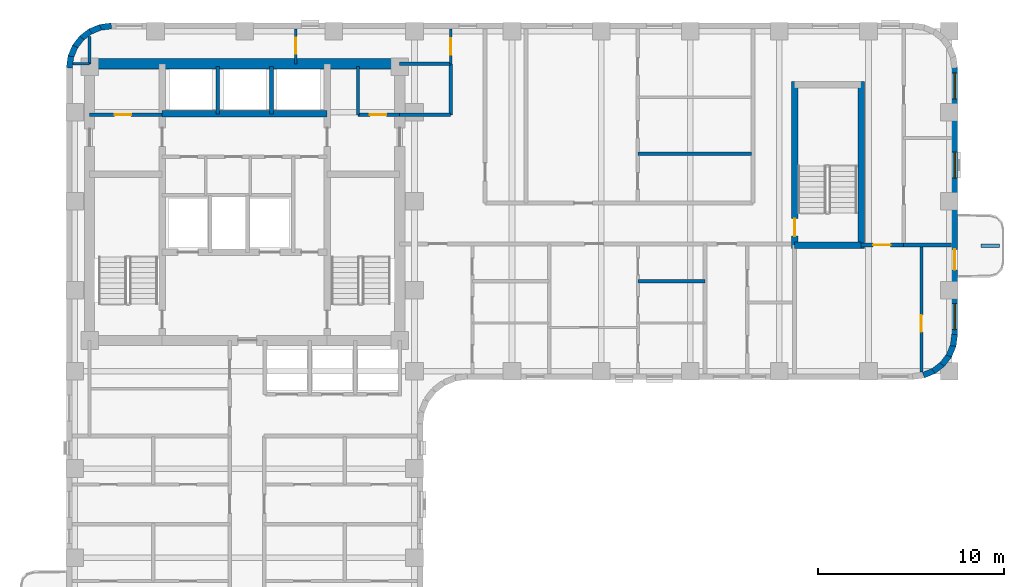
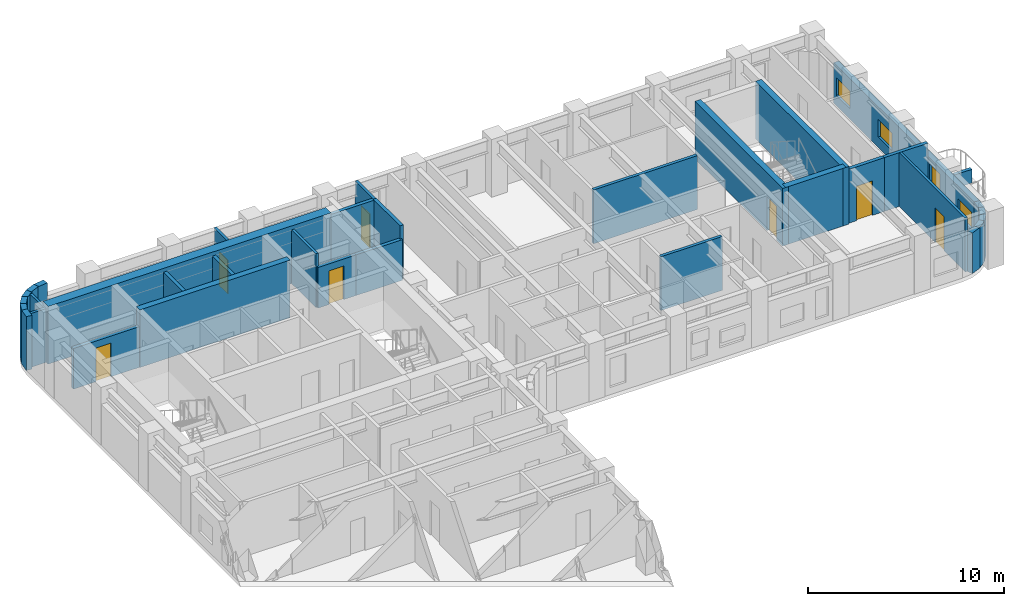
# One storey, part 6 of 10: 35 walls, 8 doors, 3 windows, 11 openings.
"""IFC4 building model written with IfcOpenShell, lengths in metres."""

from ifc_helpers import new_model, si_unit, direction, frame, frame_2d, origin, place, context, subcontext, project, spatial, rectangle, extrude, material, layer, layer_set, type_object, element, fill, save


model = new_model("IFC4")

# Units and contexts
model_context = context("Model", 3, precision=1e-05, world=origin(), true_north=direction((0.0, 1.0)))
body_context = subcontext(model_context, "Body", "Model", "MODEL_VIEW")
ifc_project = project(units=[si_unit("LENGTHUNIT", "METRE"), si_unit("AREAUNIT", "SQUARE_METRE"), si_unit("VOLUMEUNIT", "CUBIC_METRE"), si_unit("PLANEANGLEUNIT", "RADIAN"), si_unit("MASSUNIT", "GRAM", prefix="KILO")], contexts=[model_context])

# Site, building, storey
site_placement = place(None, origin())
site = spatial("IfcSite", under=ifc_project, at=site_placement, CompositionType="ELEMENT")
building_placement = place(site_placement, origin())
building = spatial("IfcBuilding", under=site, at=building_placement, Name="Orvandelia Arch Residences", CompositionType="ELEMENT")
storey_placement = place(building_placement, frame((0.0, 0.0, 114.39990234375)))
storey = spatial("IfcBuildingStorey", under=building, at=storey_placement, Name="L29", CompositionType="ELEMENT", Elevation=114.39990234375)

# Wall
ifc_material_1 = material(Name="Concrete C50/60", Category="concrete")
ifc_layer_1 = layer(ifc_material_1, 0.35009765625, Name="Concrete C50/60", Category="concrete")
ifc_layer_set_1 = layer_set([ifc_layer_1], Name="Concrete C50/60")
wall_type_1 = type_object("IfcWallType", Name="WL-CORE-350", PredefinedType="SHEAR", material=ifc_layer_set_1)
wall_1_placement = place(storey_placement, frame((9.9599609375, 43.10009765625, 0.0), z_axis=(0.0, 0.0, 1.0), x_axis=(1.0, 0.0, 0.0)))
element("IfcWall", 1, at=wall_1_placement, inside=storey, type_object=wall_type_1, Name="Core Shear Wall L29-HZ4", PredefinedType="SHEAR", context=body_context, shape_type="SweptSolid", body=[
    extrude(rectangle(XDim=8.880126953125, YDim=0.35009765625, at=frame_2d((4.43994140625, 0.0))), origin(), (0.0, 0.0, 1.0), 3.60009765625),
])

# Wall, opening, door
wall_2_placement = place(storey_placement, frame((44.02001953125, 35.864990234375, 0.0), z_axis=(0.0, 0.0, 1.0), x_axis=(0.0, 1.0, 0.0)))
wall_2 = element("IfcWall", 2, at=wall_2_placement, inside=storey, type_object=wall_type_1, Name="East Stair Core Shear Wall L29-W", PredefinedType="SHEAR", context=body_context, shape_type="SweptSolid", body=[
    extrude(rectangle(XDim=8.969970703125, YDim=0.35009765625, at=frame_2d((4.48486328125, 0.0))), origin(), (0.0, 0.0, 1.0), 3.60009765625),
])
opening_1_placement = place(wall_2_placement, frame((0.64990234375, 0.0, 0.0)))
opening_1 = element("IfcOpeningElement", 3, at=opening_1_placement, cuts=wall_2, Name="Opening D7", PredefinedType="OPENING", context=body_context, shape_type="SweptSolid", body=[
    extrude(rectangle(XDim=0.949951171875, YDim=2.10009765625, at=frame_2d((0.47509765625, 1.050048828125))), frame((0.0, 0.18505859375, 0.0), z_axis=(0.0, -1.0, 0.0), x_axis=(1.0, 0.0, 0.0)), (0.0, 0.0, 1.0), 0.3701171875),
])
ifc_material_2 = material(Name="Pressurised Stairwell Fire Door")
door_type_1 = type_object("IfcDoorType", Name="DR-STAIR-950", OperationType="NOTDEFINED", PredefinedType="DOOR", material=ifc_material_2)
door_1_placement = place(opening_1_placement, origin())
door_1 = element("IfcDoor", 4, at=door_1_placement, inside=storey, type_object=door_type_1, Name="East Stairwell ST-3 Fire Door L29", OperationType="SINGLE_SWING_LEFT", OverallHeight=2.10009765625, OverallWidth=0.949951171875, PredefinedType="DOOR", context=body_context, shape_type="SweptSolid", body=[
    extrude(rectangle(XDim=0.949951171875, YDim=2.10009765625, at=frame_2d((0.47509765625, 1.050048828125))), frame((0.0, 0.02490234375, 0.0), z_axis=(0.0, -1.0, 0.0), x_axis=(1.0, 0.0, 0.0)), (0.0, 0.0, 1.0), 0.050048828125),
])
fill(opening_1, door_1)

# Walls
wall_3_placement = place(storey_placement, frame((47.60009765625, 35.864990234375, 0.0), z_axis=(0.0, 0.0, 1.0), x_axis=(0.0, 1.0, 0.0)))
element("IfcWall", 5, at=wall_3_placement, inside=storey, type_object=wall_type_1, Name="East Stair Core Shear Wall L29-E", PredefinedType="SHEAR", context=body_context, shape_type="SweptSolid", body=[
    extrude(rectangle(XDim=8.969970703125, YDim=0.35009765625, at=frame_2d((4.48486328125, 0.0))), origin(), (0.0, 0.0, 1.0), 3.60009765625),
])
wall_4_placement = place(storey_placement, frame((44.02001953125, 36.0400390625, 0.0), z_axis=(0.0, 0.0, 1.0), x_axis=(1.0, 0.0, 0.0)))
element("IfcWall", 6, at=wall_4_placement, inside=storey, type_object=wall_type_1, Name="East Stair Core Shear Wall L29-S", PredefinedType="SHEAR", context=body_context, shape_type="SweptSolid", body=[
    extrude(rectangle(XDim=3.580078125, YDim=0.35009765625, at=frame_2d((1.7900390625, 0.0))), origin(), (0.0, 0.0, 1.0), 3.60009765625),
])
ifc_material_3 = material(Name="Concrete C60/75", Category="concrete")
ifc_layer_2 = layer(ifc_material_3, 0.550048828125, Name="Concrete C60/75", Category="concrete")
ifc_layer_set_2 = layer_set([ifc_layer_2], Name="Concrete C60/75")
wall_type_2 = type_object("IfcWallType", Name="WL-CORE-550", PredefinedType="SHEAR", material=ifc_layer_set_2)
wall_5_placement = place(storey_placement, frame((6.050048828125, 45.800048828125, 0.0), z_axis=(0.0, 0.0, 1.0), x_axis=(1.0, 0.0, 0.0)))
element("IfcWall", 7, at=wall_5_placement, inside=storey, type_object=wall_type_2, Name="Core Shear Wall L29-N", PredefinedType="SHEAR", context=body_context, shape_type="SweptSolid", body=[
    extrude(rectangle(XDim=16.699951171875, YDim=0.550048828125, at=frame_2d((8.35009765625, 0.0))), origin(), (0.0, 0.0, 1.0), 3.60009765625),
])
ifc_material_4 = material(Name="Fire-Rated Corridor Partition")
ifc_layer_3 = layer(ifc_material_4, 0.199951171875, Name="Fire-Rated Corridor Partition")
ifc_layer_set_3 = layer_set([ifc_layer_3], Name="Fire-Rated Corridor Partition")
wall_type_3 = type_object("IfcWallType", Name="WL-CORR-200", PredefinedType="PARTITIONING", material=ifc_layer_set_3)
wall_6_placement = place(storey_placement, frame((22.75, 45.800048828125, 0.0), z_axis=(0.0, 0.0, 1.0), x_axis=(1.0, 0.0, 0.0)))
element("IfcWall", 8, at=wall_6_placement, inside=storey, type_object=wall_type_3, Name="Interior Partition Wall WL-L29-NCE-S", PredefinedType="PARTITIONING", context=body_context, shape_type="SweptSolid", body=[
    extrude(rectangle(XDim=2.75, YDim=0.199951171875, at=frame_2d((1.375, 0.0))), origin(), (0.0, 0.0, 1.0), 3.360107421875),
])
wall_7_placement = place(storey_placement, frame((22.75, 43.050048828125, 0.0), z_axis=(0.0, 0.0, 1.0), x_axis=(1.0, 0.0, 0.0)))
element("IfcWall", 9, at=wall_7_placement, inside=storey, type_object=wall_type_3, Name="Interior Partition Wall WL-L29-EM-LS", PredefinedType="PARTITIONING", context=body_context, shape_type="SweptSolid", body=[
    extrude(rectangle(XDim=2.75, YDim=0.199951171875, at=frame_2d((1.375, 0.0))), origin(), (0.0, 0.0, 1.0), 2.5400390625),
])
wall_8_placement = place(storey_placement, frame((25.5, 43.050048828125, 0.0), z_axis=(0.0, 0.0, 1.0), x_axis=(0.0, 1.0, 0.0)))
element("IfcWall", 10, at=wall_8_placement, inside=storey, type_object=wall_type_3, Name="Interior Partition Wall WL-L29-EM-LW2", PredefinedType="PARTITIONING", context=body_context, shape_type="SweptSolid", body=[
    extrude(rectangle(XDim=2.75, YDim=0.199951171875, at=frame_2d((1.375, 0.0))), origin(), (0.0, 0.0, 1.0), 3.360107421875),
])

# Wall, opening, door
wall_9_placement = place(storey_placement, frame((47.60009765625, 36.0400390625, 0.0), z_axis=(0.0, 0.0, 1.0), x_axis=(1.0, 0.0, 0.0)))
wall_9 = element("IfcWall", 11, at=wall_9_placement, inside=storey, type_object=wall_type_3, Name="Interior Partition Wall WL-L29-ETE-S", PredefinedType="PARTITIONING", context=body_context, shape_type="SweptSolid", body=[
    extrude(rectangle(XDim=2.2998046875, YDim=0.199951171875, at=frame_2d((1.14990234375, 0.0))), origin(), (0.0, 0.0, 1.0), 3.360107421875),
])
opening_2_placement = place(wall_9_placement, frame((0.64990234375, 0.0, 0.0)))
opening_2 = element("IfcOpeningElement", 12, at=opening_2_placement, cuts=wall_9, Name="Opening D2", PredefinedType="OPENING", context=body_context, shape_type="SweptSolid", body=[
    extrude(rectangle(XDim=0.949951171875, YDim=2.14990234375, at=frame_2d((0.47509765625, 1.074951171875))), frame((0.0, 0.10986328125, 0.0), z_axis=(0.0, -1.0, 0.0), x_axis=(1.0, 0.0, 0.0)), (0.0, 0.0, 1.0), 0.219970703125),
])
ifc_material_5 = material(Name="Solid-Core Timber Interior Fire Door", Category="wood")
door_type_2 = type_object("IfcDoorType", Name="DR-APT-950", OperationType="NOTDEFINED", PredefinedType="DOOR", material=ifc_material_5)
door_2_placement = place(opening_2_placement, origin())
door_2 = element("IfcDoor", 13, at=door_2_placement, inside=storey, type_object=door_type_2, Name="DR-L29-EMS3", OperationType="SINGLE_SWING_LEFT", OverallHeight=2.14990234375, OverallWidth=0.949951171875, PredefinedType="DOOR", context=body_context, shape_type="SweptSolid", body=[
    extrude(rectangle(XDim=0.949951171875, YDim=2.14990234375, at=frame_2d((0.47509765625, 1.074951171875))), frame((0.0, 0.02490234375, 0.0), z_axis=(0.0, -1.0, 0.0), x_axis=(1.0, 0.0, 0.0)), (0.0, 0.0, 1.0), 0.050048828125),
])
fill(opening_2, door_2)

# Walls
ifc_material_6 = material(Name="Concrete C40/50", Category="concrete")
ifc_layer_4 = layer(ifc_material_6, 0.199951171875, Name="Concrete C40/50", Category="concrete")
ifc_layer_set_4 = layer_set([ifc_layer_4], Name="Concrete C40/50")
wall_type_4 = type_object("IfcWallType", Name="WL-DEM-200", PredefinedType="SOLIDWALL", material=ifc_layer_set_4)
wall_10_placement = place(storey_placement, frame((49.89990234375, 36.0400390625, 0.0), z_axis=(0.0, 0.0, 1.0), x_axis=(1.0, 0.0, 0.0)))
element("IfcWall", 14, at=wall_10_placement, inside=storey, type_object=wall_type_4, Name="Interior Partition Wall WL-L29-EMS3-N2", PredefinedType="SOLIDWALL", context=body_context, shape_type="SweptSolid", body=[
    extrude(rectangle(XDim=2.580078125, YDim=0.199951171875, at=frame_2d((1.2900390625, 0.0))), origin(), (0.0, 0.0, 1.0), 3.360107421875),
])
ifc_material_7 = material(Name="Precast concrete C40/50", Category="concrete")
ifc_layer_5 = layer(ifc_material_7, 0.320068359375, Name="Precast concrete C40/50", Category="concrete")
ifc_layer_set_5 = layer_set([ifc_layer_5], Name="Precast concrete C40/50")
wall_type_5 = type_object("IfcWallType", Name="WL-EXT-STONE-320", PredefinedType="STANDARD", material=ifc_layer_set_5)
for number, where, z_axis, x_axis, name in (
    (15, (4.95849609375, 45.5791015625, 0.0), (0.0, 0.0, 1.0), (0.130555323746, 0.9914410257, 0.0), "Coral-Limestone Precast Facade Wall L29-001"),
    (16, (5.029541015625, 46.159912109375, 0.0), (0.0, 0.0, 1.0), (0.382650053678, 0.92389335771, 0.0), "Coral-Limestone Precast Facade Wall L29-002"),
):
    element("IfcWall", number, at=place(storey_placement, frame(where, z_axis=z_axis, x_axis=x_axis)), inside=storey, type_object=wall_type_5, Name=name, PredefinedType="STANDARD", context=body_context, shape_type="SweptSolid", body=[
        extrude(rectangle(XDim=0.62646484375, YDim=0.320068359375, at=frame_2d((0.313232421875, 0.0))), origin(), (0.0, 0.0, 1.0), 3.360107421875),
    ])
wall_11_placement = place(storey_placement, frame((5.248291015625, 46.70263671875, 0.0), z_axis=(0.0, 0.0, 1.0), x_axis=(0.608938521285, 0.7932174212, 0.0)))
element("IfcWall", 17, at=wall_11_placement, inside=storey, type_object=wall_type_5, Name="Coral-Limestone Precast Facade Wall L29-003", PredefinedType="STANDARD", context=body_context, shape_type="SweptSolid", body=[
    extrude(rectangle(XDim=0.626708984375, YDim=0.320068359375, at=frame_2d((0.3134765625, 0.0))), origin(), (0.0, 0.0, 1.0), 3.360107421875),
])
wall_12_placement = place(storey_placement, frame((5.600341796875, 47.170166015625, 0.0), z_axis=(0.0, 0.0, 1.0), x_axis=(0.793405610854, 0.608693302629, 0.0)))
element("IfcWall", 18, at=wall_12_placement, inside=storey, type_object=wall_type_5, Name="Coral-Limestone Precast Facade Wall L29-004", PredefinedType="STANDARD", context=body_context, shape_type="SweptSolid", body=[
    extrude(rectangle(XDim=0.62646484375, YDim=0.320068359375, at=frame_2d((0.313232421875, 0.0))), origin(), (0.0, 0.0, 1.0), 3.360107421875),
])
wall_13_placement = place(storey_placement, frame((6.061279296875, 47.53076171875, 0.0), z_axis=(0.0, 0.0, 1.0), x_axis=(0.923836271867, 0.382787856107, 0.0)))
element("IfcWall", 19, at=wall_13_placement, inside=storey, type_object=wall_type_5, Name="Coral-Limestone Precast Facade Wall L29-005", PredefinedType="STANDARD", context=body_context, shape_type="SweptSolid", body=[
    extrude(rectangle(XDim=0.626220703125, YDim=0.320068359375, at=frame_2d((0.31298828125, 0.0))), origin(), (0.0, 0.0, 1.0), 3.360107421875),
])
wall_14_placement = place(storey_placement, frame((6.599609375, 47.759521484375, 0.0), z_axis=(0.0, 0.0, 1.0), x_axis=(0.991447664465, 0.130504898859, 0.0)))
element("IfcWall", 20, at=wall_14_placement, inside=storey, type_object=wall_type_5, Name="Coral-Limestone Precast Facade Wall L29-006", PredefinedType="STANDARD", context=body_context, shape_type="SweptSolid", body=[
    extrude(rectangle(XDim=0.626708984375, YDim=0.320068359375, at=frame_2d((0.3134765625, 0.0))), origin(), (0.0, 0.0, 1.0), 3.360107421875),
])

# Wall, openings, door, windows
wall_15_placement = place(storey_placement, frame((52.639892578125, 45.60009765625, 0.0), z_axis=(0.0, 0.0, 1.0), x_axis=(0.0, -1.0, 0.0)))
wall_15 = element("IfcWall", 21, at=wall_15_placement, inside=storey, type_object=wall_type_5, Name="Coral-Limestone Precast Facade Wall L29-014", PredefinedType="STANDARD", context=body_context, shape_type="SweptSolid", body=[
    extrude(rectangle(XDim=14.400146484375, YDim=0.320068359375, at=frame_2d((7.2001953125, 0.0))), origin(), (0.0, 0.0, 1.0), 2.5400390625),
])
opening_3_placement = place(wall_15_placement, frame((9.800048828125, 0.0, 0.0)))
opening_3 = element("IfcOpeningElement", 22, at=opening_3_placement, cuts=wall_15, Name="Opening BD1", PredefinedType="OPENING", context=body_context, shape_type="SweptSolid", body=[
    extrude(rectangle(XDim=1.10009765625, YDim=2.14990234375, at=frame_2d((0.550048828125, 1.074951171875))), frame((0.0, 0.169921875, 0.0), z_axis=(0.0, -1.0, 0.0), x_axis=(1.0, 0.0, 0.0)), (0.0, 0.0, 1.0), 0.340087890625),
])
opening_4_placement = place(wall_15_placement, frame((12.717529296875, 0.0, 0.64990234375)))
opening_4 = element("IfcOpeningElement", 23, at=opening_4_placement, cuts=wall_15, Name="Opening W10", PredefinedType="OPENING", context=body_context, shape_type="SweptSolid", body=[
    extrude(rectangle(XDim=1.39990234375, YDim=1.10009765625, at=frame_2d((0.699951171875, 0.550048828125))), frame((0.0, 0.169921875, 0.0), z_axis=(0.0, -1.0, 0.0), x_axis=(1.0, 0.0, 0.0)), (0.0, 0.0, 1.0), 0.340087890625),
])
opening_5_placement = place(wall_15_placement, frame((4.552490234375, 0.0, 0.64990234375)))
opening_5 = element("IfcOpeningElement", 24, at=opening_5_placement, cuts=wall_15, Name="Opening W10", PredefinedType="OPENING", context=body_context, shape_type="SweptSolid", body=[
    extrude(rectangle(XDim=1.39990234375, YDim=1.10009765625, at=frame_2d((0.699951171875, 0.550048828125))), frame((0.0, 0.169921875, 0.0), z_axis=(0.0, -1.0, 0.0), x_axis=(1.0, 0.0, 0.0)), (0.0, 0.0, 1.0), 0.340087890625),
])
opening_6_placement = place(wall_15_placement, frame((0.282470703125, 0.0, 0.64990234375)))
opening_6 = element("IfcOpeningElement", 25, at=opening_6_placement, cuts=wall_15, Name="Opening W10", PredefinedType="OPENING", context=body_context, shape_type="SweptSolid", body=[
    extrude(rectangle(XDim=1.39990234375, YDim=1.10009765625, at=frame_2d((0.699951171875, 0.550048828125))), frame((0.0, 0.169921875, 0.0), z_axis=(0.0, -1.0, 0.0), x_axis=(1.0, 0.0, 0.0)), (0.0, 0.0, 1.0), 0.340087890625),
])
ifc_material_8 = material(Name="Thermally Broken Aluminium Glazed Door", Category="aluminium")
door_type_3 = type_object("IfcDoorType", Name="DR-BAL-GLAZ-1100", OperationType="NOTDEFINED", PredefinedType="DOOR", material=ifc_material_8)
door_3_placement = place(opening_3_placement, origin())
door_3 = element("IfcDoor", 26, at=door_3_placement, inside=storey, type_object=door_type_3, Name="Tree Balcony Glazed Door BAL-L29-E1", OperationType="SINGLE_SWING_LEFT", OverallHeight=2.14990234375, OverallWidth=1.10009765625, PredefinedType="DOOR", context=body_context, shape_type="SweptSolid", body=[
    extrude(rectangle(XDim=1.10009765625, YDim=2.14990234375, at=frame_2d((0.550048828125, 1.074951171875))), frame((0.0, 0.02490234375, 0.0), z_axis=(0.0, -1.0, 0.0), x_axis=(1.0, 0.0, 0.0)), (0.0, 0.0, 1.0), 0.050048828125),
])
fill(opening_3, door_3)
ifc_material_9 = material(Name="Tempered Low-E Insulated Glazing", Category="glass")
window_type = type_object("IfcWindowType", Name="WIN-CLR-1400x1100", PartitioningType="SINGLE_PANEL", PredefinedType="WINDOW", material=ifc_material_9)
window_1_placement = place(opening_4_placement, origin())
window_1 = element("IfcWindow", 27, at=window_1_placement, inside=storey, type_object=window_type, Name="Recessed Punched Window L29-008", OverallHeight=1.10009765625, OverallWidth=1.39990234375, PartitioningType="SINGLE_PANEL", PredefinedType="WINDOW", context=body_context, shape_type="SweptSolid", body=[
    extrude(rectangle(XDim=1.39990234375, YDim=1.10009765625, at=frame_2d((0.699951171875, 0.550048828125))), frame((0.0, 0.030029296875, 0.0), z_axis=(0.0, -1.0, 0.0), x_axis=(1.0, 0.0, 0.0)), (0.0, 0.0, 1.0), 0.06005859375),
])
fill(opening_4, window_1)
window_2_placement = place(opening_5_placement, origin())
window_2 = element("IfcWindow", 28, at=window_2_placement, inside=storey, type_object=window_type, Name="Recessed Punched Window L29-009", OverallHeight=1.10009765625, OverallWidth=1.39990234375, PartitioningType="SINGLE_PANEL", PredefinedType="WINDOW", context=body_context, shape_type="SweptSolid", body=[
    extrude(rectangle(XDim=1.39990234375, YDim=1.10009765625, at=frame_2d((0.699951171875, 0.550048828125))), frame((0.0, 0.030029296875, 0.0), z_axis=(0.0, -1.0, 0.0), x_axis=(1.0, 0.0, 0.0)), (0.0, 0.0, 1.0), 0.06005859375),
])
fill(opening_5, window_2)
window_3_placement = place(opening_6_placement, origin())
window_3 = element("IfcWindow", 29, at=window_3_placement, inside=storey, type_object=window_type, Name="Recessed Punched Window L29-010", OverallHeight=1.10009765625, OverallWidth=1.39990234375, PartitioningType="SINGLE_PANEL", PredefinedType="WINDOW", context=body_context, shape_type="SweptSolid", body=[
    extrude(rectangle(XDim=1.39990234375, YDim=1.10009765625, at=frame_2d((0.699951171875, 0.550048828125))), frame((0.0, 0.030029296875, 0.0), z_axis=(0.0, -1.0, 0.0), x_axis=(1.0, 0.0, 0.0)), (0.0, 0.0, 1.0), 0.06005859375),
])
fill(opening_6, window_3)

# Walls
wall_16_placement = place(storey_placement, frame((52.641357421875, 31.220947265625, 0.0), z_axis=(0.0, 0.0, 1.0), x_axis=(-0.130504898859, -0.991447664465, 0.0)))
element("IfcWall", 30, at=wall_16_placement, inside=storey, type_object=wall_type_5, Name="Coral-Limestone Precast Facade Wall L29-015", PredefinedType="STANDARD", context=body_context, shape_type="SweptSolid", body=[
    extrude(rectangle(XDim=0.626708984375, YDim=0.320068359375, at=frame_2d((0.3134765625, 0.0))), origin(), (0.0, 0.0, 1.0), 2.5400390625),
])
wall_17_placement = place(storey_placement, frame((52.5703125, 30.639892578125, 0.0), z_axis=(0.0, 0.0, 1.0), x_axis=(-0.382455093999, -0.923974080304, 0.0)))
element("IfcWall", 31, at=wall_17_placement, inside=storey, type_object=wall_type_5, Name="Coral-Limestone Precast Facade Wall L29-016", PredefinedType="STANDARD", context=body_context, shape_type="SweptSolid", body=[
    extrude(rectangle(XDim=0.626220703125, YDim=0.320068359375, at=frame_2d((0.31298828125, 0.0))), origin(), (0.0, 0.0, 1.0), 2.5400390625),
])
wall_18_placement = place(storey_placement, frame((52.3515625, 30.097412109375, 0.0), z_axis=(0.0, 0.0, 1.0), x_axis=(-0.608693302629, -0.793405610854, 0.0)))
element("IfcWall", 32, at=wall_18_placement, inside=storey, type_object=wall_type_5, Name="Coral-Limestone Precast Facade Wall L29-017", PredefinedType="STANDARD", context=body_context, shape_type="SweptSolid", body=[
    extrude(rectangle(XDim=0.62646484375, YDim=0.320068359375, at=frame_2d((0.313232421875, 0.0))), origin(), (0.0, 0.0, 1.0), 2.5400390625),
])
wall_19_placement = place(storey_placement, frame((51.999755859375, 29.6298828125, 0.0), z_axis=(0.0, 0.0, 1.0), x_axis=(-0.7932174212, -0.608938521285, 0.0)))
element("IfcWall", 33, at=wall_19_placement, inside=storey, type_object=wall_type_5, Name="Coral-Limestone Precast Facade Wall L29-018", PredefinedType="STANDARD", context=body_context, shape_type="SweptSolid", body=[
    extrude(rectangle(XDim=0.626708984375, YDim=0.320068359375, at=frame_2d((0.3134765625, 0.0))), origin(), (0.0, 0.0, 1.0), 2.5400390625),
])
wall_20_placement = place(storey_placement, frame((51.538818359375, 29.269287109375, 0.0), z_axis=(0.0, 0.0, 1.0), x_axis=(-0.92389335771, -0.382650053678, 0.0)))
element("IfcWall", 34, at=wall_20_placement, inside=storey, type_object=wall_type_5, Name="Coral-Limestone Precast Facade Wall L29-019", PredefinedType="STANDARD", context=body_context, shape_type="SweptSolid", body=[
    extrude(rectangle(XDim=0.62646484375, YDim=0.320068359375, at=frame_2d((0.313232421875, 0.0))), origin(), (0.0, 0.0, 1.0), 2.5400390625),
])
ifc_material_10 = material(Name="Acoustic Gypsum Stud Partition")
ifc_layer_6 = layer(ifc_material_10, 0.14990234375, Name="Acoustic Gypsum Stud Partition")
ifc_layer_set_6 = layer_set([ifc_layer_6], Name="Acoustic Gypsum Stud Partition")
wall_type_6 = type_object("IfcWallType", Name="WL-PART-150", PredefinedType="PARTITIONING", material=ifc_layer_set_6)
wall_21_placement = place(storey_placement, frame((20.5, 43.050048828125, 0.0), z_axis=(0.0, 0.0, 1.0), x_axis=(0.0, 1.0, 0.0)))
element("IfcWall", 35, at=wall_21_placement, inside=storey, type_object=wall_type_6, Name="Interior Partition Wall WL-L29-CSB-2W", PredefinedType="PARTITIONING", context=body_context, shape_type="SweptSolid", body=[
    extrude(rectangle(XDim=2.599853515625, YDim=0.14990234375, at=frame_2d((1.2998046875, 0.0))), origin(), (0.0, 0.0, 1.0), 3.360107421875),
])
wall_22_placement = place(storey_placement, frame((5.159912109375, 45.800048828125, 0.0), z_axis=(0.0, 0.0, 1.0), x_axis=(1.0, 0.0, 0.0)))
element("IfcWall", 36, at=wall_22_placement, inside=storey, type_object=wall_type_6, Name="Interior Partition Wall WL-L29-WF-N", PredefinedType="PARTITIONING", context=body_context, shape_type="SweptSolid", body=[
    extrude(rectangle(XDim=0.89013671875, YDim=0.14990234375, at=frame_2d((0.445068359375, 0.0))), origin(), (0.0, 0.0, 1.0), 3.360107421875),
])

# Wall, opening, door
wall_23_placement = place(storey_placement, frame((25.5, 45.800048828125, 0.0), z_axis=(0.0, 0.0, 1.0), x_axis=(0.0, 1.0, 0.0)))
wall_23 = element("IfcWall", 37, at=wall_23_placement, inside=storey, type_object=wall_type_6, Name="Interior Partition Wall WL-L29-NCE-W", PredefinedType="PARTITIONING", context=body_context, shape_type="SweptSolid", body=[
    extrude(rectangle(XDim=1.8798828125, YDim=0.14990234375, at=frame_2d((0.93994140625, 0.0))), origin(), (0.0, 0.0, 1.0), 3.360107421875),
])
opening_7_placement = place(wall_23_placement, frame((0.5, 0.0, 0.0)))
opening_7 = element("IfcOpeningElement", 38, at=opening_7_placement, cuts=wall_23, Name="Opening D5", PredefinedType="OPENING", context=body_context, shape_type="SweptSolid", body=[
    extrude(rectangle(XDim=0.8798828125, YDim=2.10009765625, at=frame_2d((0.43994140625, 1.050048828125))), frame((0.0, 0.0849609375, 0.0), z_axis=(0.0, -1.0, 0.0), x_axis=(1.0, 0.0, 0.0)), (0.0, 0.0, 1.0), 0.169921875),
])
ifc_material_11 = material(Name="Painted Galvanised Steel Service Door", Category="steel")
door_type_4 = type_object("IfcDoorType", Name="DR-SRV-880", OperationType="NOTDEFINED", PredefinedType="DOOR", material=ifc_material_11)
door_4_placement = place(opening_7_placement, origin())
door_4 = element("IfcDoor", 39, at=door_4_placement, inside=storey, type_object=door_type_4, Name="DR-L29-NCS2", OperationType="SINGLE_SWING_LEFT", OverallHeight=2.10009765625, OverallWidth=0.8798828125, PredefinedType="DOOR", context=body_context, shape_type="SweptSolid", body=[
    extrude(rectangle(XDim=0.8798828125, YDim=2.10009765625, at=frame_2d((0.43994140625, 1.050048828125))), frame((0.0, 0.02490234375, 0.0), z_axis=(0.0, -1.0, 0.0), x_axis=(1.0, 0.0, 0.0)), (0.0, 0.0, 1.0), 0.050048828125),
])
fill(opening_7, door_4)

# Wall
wall_24_placement = place(storey_placement, frame((6.050048828125, 45.800048828125, 0.0), z_axis=(0.0, 0.0, 1.0), x_axis=(0.0, 1.0, 0.0)))
element("IfcWall", 40, at=wall_24_placement, inside=storey, type_object=wall_type_6, Name="Interior Partition Wall WL-L29-NC-W6", PredefinedType="PARTITIONING", context=body_context, shape_type="SweptSolid", body=[
    extrude(rectangle(XDim=1.4599609375, YDim=0.14990234375, at=frame_2d((0.72998046875, 0.0))), origin(), (0.0, 0.0, 1.0), 3.360107421875),
])

# Wall, opening, door
wall_25_placement = place(storey_placement, frame((17.14990234375, 45.800048828125, 0.0), z_axis=(0.0, 0.0, 1.0), x_axis=(0.0, 1.0, 0.0)))
wall_25 = element("IfcWall", 41, at=wall_25_placement, inside=storey, type_object=wall_type_6, Name="Interior Partition Wall WL-L29-NC-M", PredefinedType="PARTITIONING", context=body_context, shape_type="SweptSolid", body=[
    extrude(rectangle(XDim=1.8798828125, YDim=0.14990234375, at=frame_2d((0.93994140625, 0.0))), origin(), (0.0, 0.0, 1.0), 3.360107421875),
])
opening_8_placement = place(wall_25_placement, frame((0.550048828125, 0.0, 0.0)))
opening_8 = element("IfcOpeningElement", 42, at=opening_8_placement, cuts=wall_25, Name="Opening D4", PredefinedType="OPENING", context=body_context, shape_type="SweptSolid", body=[
    extrude(rectangle(XDim=0.860107421875, YDim=2.10009765625, at=frame_2d((0.43017578125, 1.050048828125))), frame((0.0, 0.0849609375, 0.0), z_axis=(0.0, -1.0, 0.0), x_axis=(1.0, 0.0, 0.0)), (0.0, 0.0, 1.0), 0.169921875),
])
ifc_material_12 = material(Name="Moisture-Sealed Timber Bathroom Door", Category="wood")
door_type_5 = type_object("IfcDoorType", Name="DR-WET-900", OperationType="NOTDEFINED", PredefinedType="DOOR", material=ifc_material_12)
door_5_placement = place(opening_8_placement, origin())
door_5 = element("IfcDoor", 43, at=door_5_placement, inside=storey, type_object=door_type_5, Name="DR-L29-NCS1", OperationType="SINGLE_SWING_LEFT", OverallHeight=2.10009765625, OverallWidth=0.860107421875, PredefinedType="DOOR", context=body_context, shape_type="SweptSolid", body=[
    extrude(rectangle(XDim=0.860107421875, YDim=2.10009765625, at=frame_2d((0.43017578125, 1.050048828125))), frame((0.0, 0.02490234375, 0.0), z_axis=(0.0, -1.0, 0.0), x_axis=(1.0, 0.0, 0.0)), (0.0, 0.0, 1.0), 0.050048828125),
])
fill(opening_8, door_5)

wall_26_placement = place(storey_placement, frame((50.85009765625, 29.199951171875, 0.0), z_axis=(0.0, 0.0, 1.0), x_axis=(0.0, 1.0, 0.0)))
wall_26 = element("IfcWall", 44, at=wall_26_placement, inside=storey, type_object=wall_type_6, Name="Interior Partition Wall WL-L29-EMS3-M", PredefinedType="PARTITIONING", context=body_context, shape_type="SweptSolid", body=[
    extrude(rectangle(XDim=6.840087890625, YDim=0.14990234375, at=frame_2d((3.419921875, 0.0))), origin(), (0.0, 0.0, 1.0), 3.360107421875),
])
opening_9_placement = place(wall_26_placement, frame((2.159912109375, 0.0, 0.0)))
opening_9 = element("IfcOpeningElement", 45, at=opening_9_placement, cuts=wall_26, Name="Opening D3", PredefinedType="OPENING", context=body_context, shape_type="SweptSolid", body=[
    extrude(rectangle(XDim=0.89990234375, YDim=2.14990234375, at=frame_2d((0.449951171875, 1.074951171875))), frame((0.0, 0.0849609375, 0.0), z_axis=(0.0, -1.0, 0.0), x_axis=(1.0, 0.0, 0.0)), (0.0, 0.0, 1.0), 0.169921875),
])
ifc_material_13 = material(Name="Engineered Timber Flush Door", Category="wood")
door_type_6 = type_object("IfcDoorType", Name="DR-INT-900", OperationType="NOTDEFINED", PredefinedType="DOOR", material=ifc_material_13)
door_6_placement = place(opening_9_placement, origin())
door_6 = element("IfcDoor", 46, at=door_6_placement, inside=storey, type_object=door_type_6, Name="DR-L29-EMS3M", OperationType="SINGLE_SWING_RIGHT", OverallHeight=2.14990234375, OverallWidth=0.89990234375, PredefinedType="DOOR", context=body_context, shape_type="SweptSolid", body=[
    extrude(rectangle(XDim=0.89990234375, YDim=2.14990234375, at=frame_2d((0.449951171875, 1.074951171875))), frame((0.0, 0.02490234375, 0.0), z_axis=(0.0, -1.0, 0.0), x_axis=(1.0, 0.0, 0.0)), (0.0, 0.0, 1.0), 0.050048828125),
])
fill(opening_9, door_6)

# Wall
ifc_layer_7 = layer(ifc_material_7, 0.199951171875, Name="Precast concrete C40/50", Category="concrete")
ifc_layer_set_7 = layer_set([ifc_layer_7], Name="Precast concrete C40/50")
wall_type_7 = type_object("IfcWallType", Name="WL-PLANTER-200", PredefinedType="MOVABLE", material=ifc_layer_set_7)
wall_27_placement = place(storey_placement, frame((54.050048828125, 36.0, 0.0), z_axis=(0.0, 0.0, 1.0), x_axis=(1.0, 0.0, 0.0)))
element("IfcWall", 47, at=wall_27_placement, inside=storey, type_object=wall_type_7, Name="Balcony Precast Tree Planter BAL-L29-E1", PredefinedType="MOVABLE", context=body_context, shape_type="SweptSolid", body=[
    extrude(rectangle(XDim=1.0, YDim=0.199951171875, at=frame_2d((0.5, 0.0))), origin(), (0.0, 0.0, 1.0), 0.85009765625),
])

# Wall, opening, door
ifc_material_14 = material(Name="Fire-Rated Shaft Enclosure Wall")
ifc_layer_8 = layer(ifc_material_14, 0.199951171875, Name="Fire-Rated Shaft Enclosure Wall")
ifc_layer_set_8 = layer_set([ifc_layer_8], Name="Fire-Rated Shaft Enclosure Wall")
wall_type_8 = type_object("IfcWallType", Name="WL-SHAFT-200", PredefinedType="POLYGONAL", material=ifc_layer_set_8)
wall_28_placement = place(storey_placement, frame((20.5, 43.050048828125, 0.0), z_axis=(0.0, 0.0, 1.0), x_axis=(1.0, 0.0, 0.0)))
wall_28 = element("IfcWall", 48, at=wall_28_placement, inside=storey, type_object=wall_type_8, Name="Interior Partition Wall WL-L29-HLE-N", PredefinedType="POLYGONAL", context=body_context, shape_type="SweptSolid", body=[
    extrude(rectangle(XDim=2.25, YDim=0.199951171875, at=frame_2d((1.125, 0.0))), origin(), (0.0, 0.0, 1.0), 2.5400390625),
])
opening_10_placement = place(wall_28_placement, frame((0.64990234375, 0.0, 0.0)))
opening_10 = element("IfcOpeningElement", 49, at=opening_10_placement, cuts=wall_28, Name="Opening D5", PredefinedType="OPENING", context=body_context, shape_type="SweptSolid", body=[
    extrude(rectangle(XDim=0.8798828125, YDim=2.10009765625, at=frame_2d((0.43994140625, 1.050048828125))), frame((0.0, 0.10986328125, 0.0), z_axis=(0.0, -1.0, 0.0), x_axis=(1.0, 0.0, 0.0)), (0.0, 0.0, 1.0), 0.219970703125),
])
door_7_placement = place(opening_10_placement, origin())
door_7 = element("IfcDoor", 50, at=door_7_placement, inside=storey, type_object=door_type_4, Name="DR-L29-CSB1", OperationType="SINGLE_SWING_RIGHT", OverallHeight=2.10009765625, OverallWidth=0.8798828125, PredefinedType="DOOR", context=body_context, shape_type="SweptSolid", body=[
    extrude(rectangle(XDim=0.8798828125, YDim=2.10009765625, at=frame_2d((0.43994140625, 1.050048828125))), frame((0.0, 0.02490234375, 0.0), z_axis=(0.0, -1.0, 0.0), x_axis=(1.0, 0.0, 0.0)), (0.0, 0.0, 1.0), 0.050048828125),
])
fill(opening_10, door_7)

wall_29_placement = place(storey_placement, frame((6.050048828125, 43.050048828125, 0.0), z_axis=(0.0, 0.0, 1.0), x_axis=(1.0, 0.0, 0.0)))
wall_29 = element("IfcWall", 51, at=wall_29_placement, inside=storey, type_object=wall_type_8, Name="Interior Partition Wall WL-L29-HLW-N", PredefinedType="POLYGONAL", context=body_context, shape_type="SweptSolid", body=[
    extrude(rectangle(XDim=3.909912109375, YDim=0.199951171875, at=frame_2d((1.955078125, 0.0))), origin(), (0.0, 0.0, 1.0), 2.5400390625),
])
opening_11_placement = place(wall_29_placement, frame((1.35009765625, 0.0, 0.0)))
opening_11 = element("IfcOpeningElement", 52, at=opening_11_placement, cuts=wall_29, Name="Opening D5", PredefinedType="OPENING", context=body_context, shape_type="SweptSolid", body=[
    extrude(rectangle(XDim=0.8798828125, YDim=2.10009765625, at=frame_2d((0.43994140625, 1.050048828125))), frame((0.0, 0.10986328125, 0.0), z_axis=(0.0, -1.0, 0.0), x_axis=(1.0, 0.0, 0.0)), (0.0, 0.0, 1.0), 0.219970703125),
])
door_8_placement = place(opening_11_placement, origin())
door_8 = element("IfcDoor", 53, at=door_8_placement, inside=storey, type_object=door_type_4, Name="Riser Service Door L29", OperationType="SINGLE_SWING_RIGHT", OverallHeight=2.10009765625, OverallWidth=0.8798828125, PredefinedType="DOOR", context=body_context, shape_type="SweptSolid", body=[
    extrude(rectangle(XDim=0.8798828125, YDim=2.10009765625, at=frame_2d((0.43994140625, 1.050048828125))), frame((0.0, 0.02490234375, 0.0), z_axis=(0.0, -1.0, 0.0), x_axis=(1.0, 0.0, 0.0)), (0.0, 0.0, 1.0), 0.050048828125),
])
fill(opening_11, door_8)

# Walls
for number, where, z_axis, x_axis, name in (
    (54, (12.949951171875, 43.10009765625, 0.0), (0.0, 0.0, 1.0), (0.0, 1.0, 0.0), "Interior Partition Wall WL-L29-PHD1"),
    (55, (15.85009765625, 43.10009765625, 0.0), (0.0, 0.0, 1.0), (0.0, 1.0, 0.0), "Interior Partition Wall WL-L29-PHD2"),
):
    element("IfcWall", number, at=place(storey_placement, frame(where, z_axis=z_axis, x_axis=x_axis)), inside=storey, type_object=wall_type_8, Name=name, PredefinedType="POLYGONAL", context=body_context, shape_type="SweptSolid", body=[
        extrude(rectangle(XDim=2.5498046875, YDim=0.199951171875, at=frame_2d((1.27490234375, 0.0))), origin(), (0.0, 0.0, 1.0), 3.360107421875),
    ])
ifc_material_15 = material(Name="Moisture-Resistant Plumbing Wall")
ifc_layer_9 = layer(ifc_material_15, 0.179931640625, Name="Moisture-Resistant Plumbing Wall")
ifc_layer_set_9 = layer_set([ifc_layer_9], Name="Moisture-Resistant Plumbing Wall")
wall_type_9 = type_object("IfcWallType", Name="WL-WET-180", PredefinedType="PLUMBINGWALL", material=ifc_layer_set_9)
wall_30_placement = place(storey_placement, frame((35.5849609375, 34.0849609375, 0.0), z_axis=(0.0, 0.0, 1.0), x_axis=(1.0, 0.0, 0.0)))
element("IfcWall", 56, at=wall_30_placement, inside=storey, type_object=wall_type_9, Name="Interior Partition Wall WL-L29-U08-H2", PredefinedType="PLUMBINGWALL", context=body_context, shape_type="SweptSolid", body=[
    extrude(rectangle(XDim=3.614990234375, YDim=0.179931640625, at=frame_2d((1.8076171875, 0.0))), origin(), (0.0, 0.0, 1.0), 3.360107421875),
])
wall_31_placement = place(storey_placement, frame((35.576904296875, 40.962890625, 0.0), z_axis=(0.0, 0.0, 1.0), x_axis=(1.0, 0.0, 0.0)))
element("IfcWall", 57, at=wall_31_placement, inside=storey, type_object=wall_type_9, Name="Interior Partition Wall WL-L29-U10-H1", PredefinedType="PLUMBINGWALL", context=body_context, shape_type="SweptSolid", body=[
    extrude(rectangle(XDim=6.123046875, YDim=0.179931640625, at=frame_2d((3.0615234375, 0.0))), origin(), (0.0, 0.0, 1.0), 3.360107421875),
])

save(model, "model.ifc")
